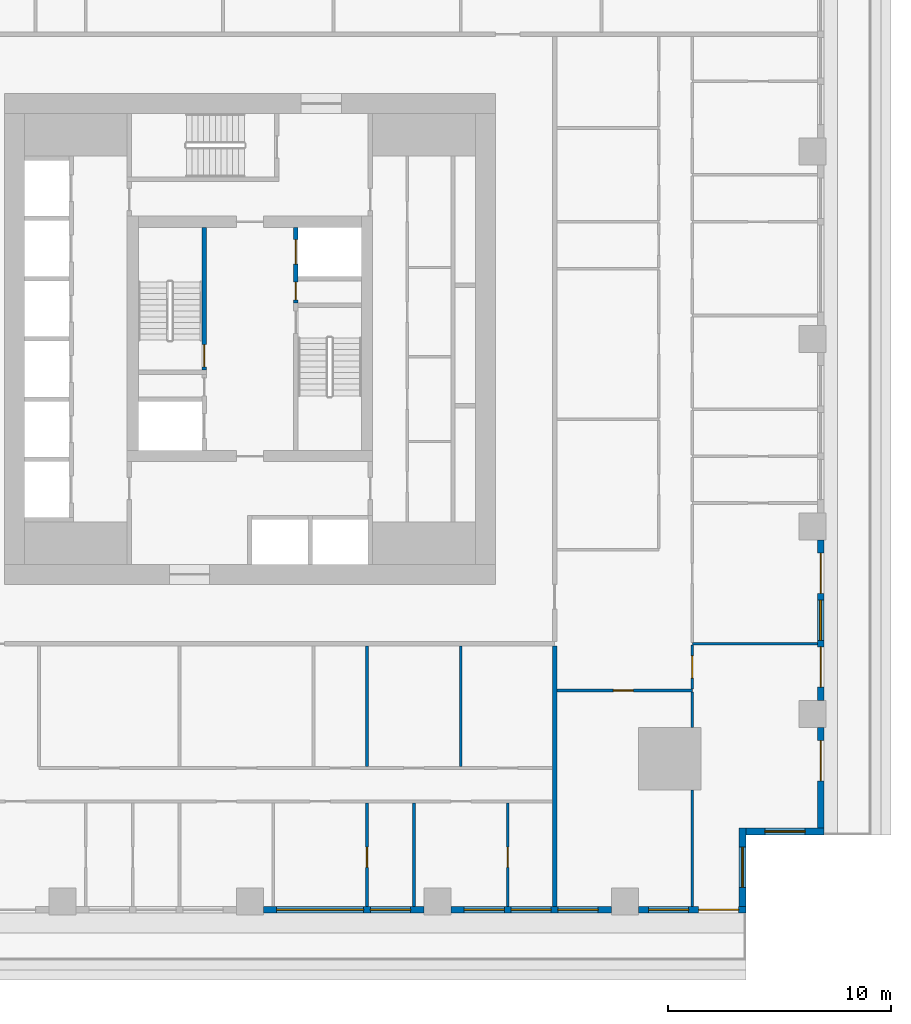
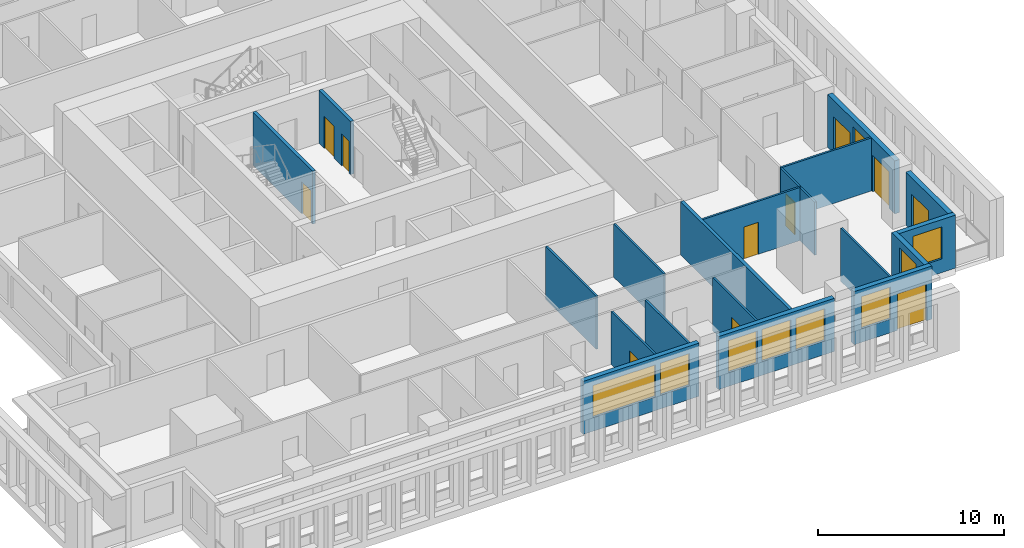
# One storey, part 4 of 14: 20 walls, 11 doors, 9 windows, 20 openings.
"""IFC4 building model written with IfcOpenShell, lengths in metres."""

import ifcopenshell
import ifcopenshell.guid

model = None  # the IFC model being written
_history = None  # IfcOwnerHistory: only IFC2X3 demands one
_inside = {}  # id of a spatial element -> (the spatial element, [elements in it])
_under = {}  # id of a project, library or spatial element -> (it, [spatial elements below it])
_declared = {}  # id of a project -> (the project, [libraries it declares])
_typed = {}  # id of a type object -> (the type object, [elements of that type])
_made_of = {}  # id of a material, layer set ... -> (it, [elements and type objects made of it])


def new_model(schema):
    """Start an empty IFC model of exactly this schema.

    Asked for "IFC4X3", IfcOpenShell would pick the latest addendum, in which some entities
    have other attributes; the version numbers below select the first issue.
    IFC2X3 requires an IfcOwnerHistory on every rooted entity: one is made here for all.
    """
    global model, _history
    if schema == "IFC4X3":
        model = ifcopenshell.file(schema_version=(4, 3, 0, 0))
    else:
        model = ifcopenshell.file(schema=schema)
    _inside.clear()
    _under.clear()
    _declared.clear()
    _typed.clear()
    _made_of.clear()
    _history = None
    if model.schema == "IFC2X3":
        org = make("IfcOrganization", Name="unknown")
        user = make(
            "IfcPersonAndOrganization",
            ThePerson=make("IfcPerson", FamilyName="unknown"),
            TheOrganization=org,
        )
        app = make(
            "IfcApplication",
            ApplicationDeveloper=org,
            Version="unknown",
            ApplicationFullName="unknown",
            ApplicationIdentifier="unknown",
        )
        _history = make(
            "IfcOwnerHistory",
            OwningUser=user,
            OwningApplication=app,
            ChangeAction="ADDED",
            CreationDate=0,
        )
    return model


def make(cls, **values):
    """One entity of the class cls with the attributes given. An attribute that is None is left unset."""
    return model.create_entity(
        cls, **{name: value for name, value in values.items() if value is not None}
    )


def rooted(cls, **values):
    """An entity with a GlobalId (a new one), such as an element, a storey or a relation."""
    return make(cls, GlobalId=ifcopenshell.guid.new(), OwnerHistory=_history, **values)


def si_unit(unit_type, name, prefix=None):
    """IfcSIUnit, for example si_unit("LENGTHUNIT", "METRE", prefix="MILLI")."""
    return make("IfcSIUnit", UnitType=unit_type, Prefix=prefix, Name=name)


def assignment(units):
    """IfcUnitAssignment: the units of a project."""
    return None if units is None else make("IfcUnitAssignment", Units=units)


def point(xyz):
    """IfcCartesianPoint."""
    return None if xyz is None else make("IfcCartesianPoint", Coordinates=xyz)


def direction(xyz):
    """IfcDirection."""
    return None if xyz is None else make("IfcDirection", DirectionRatios=xyz)


def frame(location, z_axis=None, x_axis=None):
    """IfcAxis2Placement3D, a coordinate frame: its origin and axes. An axis left out is left unset."""
    return make(
        "IfcAxis2Placement3D",
        Location=point(location),
        Axis=direction(z_axis),
        RefDirection=direction(x_axis),
    )


def frame_2d(location, x_axis=None):
    """IfcAxis2Placement2D, a coordinate frame in the plane: its origin and x axis."""
    return make(
        "IfcAxis2Placement2D", Location=point(location), RefDirection=direction(x_axis)
    )


def origin():
    """The frame at (0, 0, 0) with its axes left unset."""
    return frame((0.0, 0.0, 0.0))


def place(relative_to, where):
    """IfcLocalPlacement: puts the frame where relative to a parent placement (None: the world)."""
    return make(
        "IfcLocalPlacement", PlacementRelTo=relative_to, RelativePlacement=where
    )


def context(
    kind, dimensions, precision=None, world=None, true_north=None, identifier=None
):
    """IfcGeometricRepresentationContext, for example the 3D "Model" context."""
    return make(
        "IfcGeometricRepresentationContext",
        ContextIdentifier=identifier,
        ContextType=kind,
        CoordinateSpaceDimension=dimensions,
        Precision=precision,
        WorldCoordinateSystem=world,
        TrueNorth=true_north,
    )


def subcontext(parent, identifier, kind, view, scale=None):
    """IfcGeometricRepresentationSubContext, for example "Body" below "Model"."""
    return make(
        "IfcGeometricRepresentationSubContext",
        ContextIdentifier=identifier,
        ContextType=kind,
        ParentContext=parent,
        TargetScale=scale,
        TargetView=view,
    )


def project(units=None, contexts=None):
    """IfcProject with its units and contexts."""
    return rooted(
        "IfcProject",
        Name="project",
        RepresentationContexts=contexts,
        UnitsInContext=assignment(units),
    )


def spatial(cls, under=None, at=None, **own):
    """A site, building, storey or space (cls), placed at a placement, below another one or the project."""
    s = rooted(cls, ObjectPlacement=at, **own)
    if under is not None:
        _under.setdefault(under.id(), (under, []))[1].append(s)
    return s


def profile(cls, at=None, kind="AREA", **sizes):
    """A parametric profile (cls). Its sizes go by their IFC names, for example OverallWidth=200.0."""
    return make(cls, ProfileType=kind, Position=at, **sizes)


def rectangle(**sizes):
    """IfcRectangleProfileDef."""
    return profile("IfcRectangleProfileDef", **sizes)


def extrude(swept, where, along, depth):
    """IfcExtrudedAreaSolid: the profile swept, set in the frame where, extruded along a direction by depth."""
    return make(
        "IfcExtrudedAreaSolid",
        SweptArea=swept,
        Position=where,
        ExtrudedDirection=direction(along),
        Depth=depth,
    )


def shape(context_of_items, identifier, shape_type, items):
    """IfcShapeRepresentation: the items that make up one representation, for example the "Body"."""
    return make(
        "IfcShapeRepresentation",
        ContextOfItems=context_of_items,
        RepresentationIdentifier=identifier,
        RepresentationType=shape_type,
        Items=items,
    )


def material(Name=None, Category=None):
    """IfcMaterial."""
    return make("IfcMaterial", Name=Name, Category=Category)


def layer(
    of_material, thickness, ventilated=None, Name=None, Category=None, Priority=None
):
    """IfcMaterialLayer: one layer of a wall or slab, of a material (None: an air gap)."""
    return make(
        "IfcMaterialLayer",
        Material=of_material,
        LayerThickness=thickness,
        IsVentilated=ventilated,
        Name=Name,
        Category=Category,
        Priority=Priority,
    )


def layer_set(layers, Name=None):
    """IfcMaterialLayerSet."""
    return make("IfcMaterialLayerSet", MaterialLayers=layers, LayerSetName=Name)


def made_of(thing, what):
    """Note that an element or type object is made of a material, layer set ...; save() writes the relation."""
    if what is not None:
        _made_of.setdefault(what.id(), (what, []))[1].append(thing)
    return thing


def type_object(cls, material=None, **own):
    """A type object (cls), such as IfcWallType, which elements share."""
    return made_of(rooted(cls, **own), material)


def element(
    cls,
    number,
    at=None,
    inside=None,
    cuts=None,
    type_object=None,
    material=None,
    context=None,
    identifier="Body",
    shape_type=None,
    held_by="IfcProductDefinitionShape",
    body=None,
    shapes=None,
    **own,
):
    """One element of the class cls, such as IfcWall. Its Tag is "e" and its number.

    at: its placement. inside: the storey or other place that contains it. cuts: it is an
    opening in that element (IfcRelVoidsElement). A single representation is given by context,
    identifier, shape_type and body (its items); several are given by shapes. held_by: the class
    of the entity that holds the representations. save() writes the other relations.
    """
    e = rooted(cls, Tag="e%d" % number, ObjectPlacement=at, **own)
    if body is not None:
        shapes = [shape(context, identifier, shape_type, body)]
    if shapes is not None:
        e.Representation = make(held_by, Representations=shapes)
    if inside is not None:
        _inside.setdefault(inside.id(), (inside, []))[1].append(e)
    if cuts is not None:
        rooted(
            "IfcRelVoidsElement", RelatingBuildingElement=cuts, RelatedOpeningElement=e
        )
    if type_object is not None:
        _typed.setdefault(type_object.id(), (type_object, []))[1].append(e)
    return made_of(e, material)


def fill(opening, filler):
    """IfcRelFillsElement: the door or window that sits in an opening."""
    return rooted(
        "IfcRelFillsElement",
        RelatingOpeningElement=opening,
        RelatedBuildingElement=filler,
    )


def aggregate(whole, parts):
    """IfcRelAggregates: a whole, such as a stair, and the parts it consists of."""
    return rooted("IfcRelAggregates", RelatingObject=whole, RelatedObjects=parts)


def save(model, path):
    """Write the relations noted so far, then the file.

    IfcRelAggregates (storeys below a building ...), IfcRelContainedInSpatialStructure (elements
    in a storey), IfcRelDefinesByType, IfcRelAssociatesMaterial and IfcRelDeclares: one each for
    every whole, place, type object, material and project.
    """
    for whole, parts in _under.values():
        aggregate(whole, parts)
    for where, things in _inside.values():
        rooted(
            "IfcRelContainedInSpatialStructure",
            RelatedElements=things,
            RelatingStructure=where,
        )
    for kind, things in _typed.values():
        rooted("IfcRelDefinesByType", RelatedObjects=things, RelatingType=kind)
    for what, things in _made_of.values():
        rooted("IfcRelAssociatesMaterial", RelatedObjects=things, RelatingMaterial=what)
    for by, libraries in _declared.values():
        rooted("IfcRelDeclares", RelatingContext=by, RelatedDefinitions=libraries)
    model.write(path)


model = new_model("IFC4")

# Units and contexts
model_context = context("Model", 3, precision=1e-05, world=origin(), true_north=direction((0.0, 1.0)))
body_context = subcontext(model_context, "Body", "Model", "MODEL_VIEW")
ifc_project = project(units=[si_unit("LENGTHUNIT", "METRE"), si_unit("AREAUNIT", "SQUARE_METRE"), si_unit("VOLUMEUNIT", "CUBIC_METRE"), si_unit("PLANEANGLEUNIT", "RADIAN"), si_unit("MASSUNIT", "GRAM", prefix="KILO")], contexts=[model_context])

# Site, building, storey
site_placement = place(None, origin())
site = spatial("IfcSite", under=ifc_project, at=site_placement, CompositionType="ELEMENT")
building_placement = place(site_placement, origin())
building = spatial("IfcBuilding", under=site, at=building_placement, Name="Khepri Terraces", CompositionType="ELEMENT")
storey_placement = place(building_placement, frame((0.0, 0.0, 114.300048828125)))
storey = spatial("IfcBuildingStorey", under=building, at=storey_placement, Name="L27", CompositionType="ELEMENT", Elevation=114.300048828125)

# Wall, opening, door
ifc_material_1 = material(Name="Concrete C70/85", Category="concrete")
ifc_layer_1 = layer(ifc_material_1, 0.199951171875, Name="Concrete C70/85", Category="concrete")
ifc_layer_set_1 = layer_set([ifc_layer_1], Name="Concrete C70/85")
wall_type_1 = type_object("IfcWallType", Name="Core wall 200 C70/85", PredefinedType="SHEAR", material=ifc_layer_set_1)
wall_1_placement = place(storey_placement, frame((-2.050048828125, -1.39990234375, 0.0), z_axis=(0.0, 0.0, 1.0), x_axis=(0.0, 1.0, 0.0)))
wall_1 = element("IfcWall", 1, at=wall_1_placement, inside=storey, type_object=wall_type_1, Name="Core wall ST03 L27", PredefinedType="SHEAR", context=body_context, shape_type="SweptSolid", body=[
    extrude(rectangle(XDim=6.39990234375, YDim=0.199951171875, at=frame_2d((3.199951171875, 0.0))), origin(), (0.0, 0.0, 1.0), 3.47998046875),
])
opening_1_placement = place(wall_1_placement, frame((0.14990234375, 0.0, 0.0)))
opening_1 = element("IfcOpeningElement", 2, at=opening_1_placement, cuts=wall_1, Name="Opening L27-C09", PredefinedType="OPENING", context=body_context, shape_type="SweptSolid", body=[
    extrude(rectangle(XDim=1.0, YDim=2.10009765625, at=frame_2d((0.5, 1.050048828125))), frame((0.0, 0.10986328125, 0.0), z_axis=(0.0, -1.0, 0.0), x_axis=(1.0, 0.0, 0.0)), (0.0, 0.0, 1.0), 0.219970703125),
])
ifc_material_2 = material(Name="Painted steel", Category="steel")
door_type_1 = type_object("IfcDoorType", Name="DR-CORE-STAIR-1000", OperationType="NOTDEFINED", PredefinedType="DOOR", material=ifc_material_2)
door_1_placement = place(opening_1_placement, origin())
door_1 = element("IfcDoor", 3, at=door_1_placement, inside=storey, type_object=door_type_1, Name="Stair door L27-C09", OperationType="SINGLE_SWING_LEFT", OverallHeight=2.10009765625, OverallWidth=1.0, PredefinedType="DOOR", context=body_context, shape_type="SweptSolid", body=[
    extrude(rectangle(XDim=1.0, YDim=2.10009765625, at=frame_2d((0.5, 1.050048828125))), frame((0.0, 0.02490234375, 0.0), z_axis=(0.0, -1.0, 0.0), x_axis=(1.0, 0.0, 0.0)), (0.0, 0.0, 1.0), 0.050048828125),
])
fill(opening_1, door_1)

# Wall, openings, doors
wall_2_placement = place(storey_placement, frame((2.050048828125, 1.60009765625, 0.0), z_axis=(0.0, 0.0, 1.0), x_axis=(0.0, 1.0, 0.0)))
wall_2 = element("IfcWall", 4, at=wall_2_placement, inside=storey, type_object=wall_type_1, Name="Core wall SH15 L27", PredefinedType="SHEAR", context=body_context, shape_type="SweptSolid", body=[
    extrude(rectangle(XDim=3.39990234375, YDim=0.199951171875, at=frame_2d((1.699951171875, 0.0))), origin(), (0.0, 0.0, 1.0), 3.47998046875),
])
opening_2_placement = place(wall_2_placement, frame((1.75, 0.0, 0.0)))
opening_2 = element("IfcOpeningElement", 5, at=opening_2_placement, cuts=wall_2, Name="Opening L27-C07", PredefinedType="OPENING", context=body_context, shape_type="SweptSolid", body=[
    extrude(rectangle(XDim=1.10009765625, YDim=2.10009765625, at=frame_2d((0.550048828125, 1.050048828125))), frame((0.0, 0.10986328125, 0.0), z_axis=(0.0, -1.0, 0.0), x_axis=(1.0, 0.0, 0.0)), (0.0, 0.0, 1.0), 0.219970703125),
])
opening_3_placement = place(wall_2_placement, frame((0.14990234375, 0.0, 0.0)))
opening_3 = element("IfcOpeningElement", 6, at=opening_3_placement, cuts=wall_2, Name="Opening L27-C11", PredefinedType="OPENING", context=body_context, shape_type="SweptSolid", body=[
    extrude(rectangle(XDim=0.800048828125, YDim=2.10009765625, at=frame_2d((0.39990234375, 1.050048828125))), frame((0.0, 0.10986328125, 0.0), z_axis=(0.0, -1.0, 0.0), x_axis=(1.0, 0.0, 0.0)), (0.0, 0.0, 1.0), 0.219970703125),
])
ifc_material_3 = material(Name="Stainless steel 304", Category="steel")
door_type_2 = type_object("IfcDoorType", Name="DR-CORE-FF-LANDING-1100", OperationType="NOTDEFINED", PredefinedType="DOOR", material=ifc_material_3)
door_2_placement = place(opening_2_placement, origin())
door_2 = element("IfcDoor", 7, at=door_2_placement, inside=storey, type_object=door_type_2, Name="Firefighting lift landing door L27-C07", OperationType="SLIDING_TO_LEFT", OverallHeight=2.10009765625, OverallWidth=1.10009765625, PredefinedType="DOOR", context=body_context, shape_type="SweptSolid", body=[
    extrude(rectangle(XDim=1.10009765625, YDim=2.10009765625, at=frame_2d((0.550048828125, 1.050048828125))), frame((0.0, 0.02490234375, 0.0), z_axis=(0.0, -1.0, 0.0), x_axis=(1.0, 0.0, 0.0)), (0.0, 0.0, 1.0), 0.050048828125),
])
fill(opening_2, door_2)
door_type_3 = type_object("IfcDoorType", Name="DR-CORE-RISER-800", OperationType="NOTDEFINED", PredefinedType="DOOR", material=ifc_material_2)
door_3_placement = place(opening_3_placement, frame((0.800048828125, 0.0, 0.0), z_axis=(0.0, 0.0, 1.0), x_axis=(-1.0, 0.0, 0.0)))
door_3 = element("IfcDoor", 8, at=door_3_placement, inside=storey, type_object=door_type_3, Name="Riser door L27-C11", OperationType="SINGLE_SWING_RIGHT", OverallHeight=2.10009765625, OverallWidth=0.800048828125, PredefinedType="DOOR", context=body_context, shape_type="SweptSolid", body=[
    extrude(rectangle(XDim=0.800048828125, YDim=2.10009765625, at=frame_2d((0.39990234375, 1.050048828125))), frame((0.0, 0.02490234375, 0.0), z_axis=(0.0, -1.0, 0.0), x_axis=(1.0, 0.0, 0.0)), (0.0, 0.0, 1.0), 0.050048828125),
])
fill(opening_3, door_3)

# Wall
ifc_material_4 = material(Name="Fire-rated gypsum plasterboard partition, mineral wool")
ifc_layer_2 = layer(ifc_material_4, 0.199951171875, Name="Fire-rated gypsum plasterboard partition, mineral wool")
ifc_layer_set_2 = layer_set([ifc_layer_2], Name="Fire-rated gypsum plasterboard partition, mineral wool")
wall_type_2 = type_object("IfcWallType", Name="WL-CORR-200", PredefinedType="PARTITIONING", material=ifc_layer_set_2)
wall_3_placement = place(storey_placement, frame((13.64990234375, -25.419921875, 0.0), z_axis=(0.0, 0.0, 1.0), x_axis=(0.0, 1.0, 0.0)))
element("IfcWall", 9, at=wall_3_placement, inside=storey, type_object=wall_type_2, Name="Partition P-009 L27", PredefinedType="PARTITIONING", context=body_context, shape_type="SweptSolid", body=[
    extrude(rectangle(XDim=11.669921875, YDim=0.199951171875, at=frame_2d((5.8349609375, 0.0))), origin(), (0.0, 0.0, 1.0), 3.47998046875),
])

# Wall, opening, window
ifc_material_5 = material(Name="Precast concrete C50/60 warm stone", Category="masonry")
ifc_layer_3 = layer(ifc_material_5, 0.300048828125, Name="Precast concrete C50/60 warm stone", Category="masonry")
ifc_layer_set_3 = layer_set([ifc_layer_3], Name="Precast concrete C50/60 warm stone")
wall_type_3 = type_object("IfcWallType", Name="WL-EXT-PRECAST-300", PredefinedType="STANDARD", material=ifc_layer_set_3)
wall_4_placement = place(storey_placement, frame((22.219970703125, -22.070068359375, 0.0), z_axis=(0.0, 0.0, 1.0), x_axis=(1.0, 0.0, 0.0)))
wall_4 = element("IfcWall", 10, at=wall_4_placement, inside=storey, type_object=wall_type_3, Name="External wall L27 S", PredefinedType="STANDARD", context=body_context, shape_type="SweptSolid", body=[
    extrude(rectangle(XDim=3.5, YDim=0.300048828125, at=frame_2d((1.75, 0.0))), origin(), (0.0, 0.0, 1.0), 3.47998046875),
])
opening_4_placement = place(wall_4_placement, frame((0.85009765625, 0.0, 0.89990234375)))
opening_4 = element("IfcOpeningElement", 11, at=opening_4_placement, cuts=wall_4, Name="Opening W1", PredefinedType="OPENING", context=body_context, shape_type="SweptSolid", body=[
    extrude(rectangle(XDim=1.800048828125, YDim=2.10009765625, at=frame_2d((0.89990234375, 1.050048828125))), frame((0.0, 0.16015625, 0.0), z_axis=(0.0, -1.0, 0.0), x_axis=(1.0, 0.0, 0.0)), (0.0, 0.0, 1.0), 0.320068359375),
])
ifc_material_6 = material(Name="Clear glass", Category="glass")
window_type_1 = type_object("IfcWindowType", Name="WIN-RES-1800x2100", PartitioningType="SINGLE_PANEL", PredefinedType="WINDOW", material=ifc_material_6)
window_1_placement = place(opening_4_placement, origin())
window_1 = element("IfcWindow", 12, at=window_1_placement, inside=storey, type_object=window_type_1, Name="Window L27 S", OverallHeight=2.10009765625, OverallWidth=1.800048828125, PartitioningType="SINGLE_PANEL", PredefinedType="WINDOW", context=body_context, shape_type="SweptSolid", body=[
    extrude(rectangle(XDim=1.800048828125, YDim=2.10009765625, at=frame_2d((0.89990234375, 1.050048828125))), frame((0.0, 0.030029296875, 0.0), z_axis=(0.0, -1.0, 0.0), x_axis=(1.0, 0.0, 0.0)), (0.0, 0.0, 1.0), 0.06005859375),
])
fill(opening_4, window_1)

# Wall, opening, door
wall_5_placement = place(storey_placement, frame((25.570068359375, -21.919921875, 0.0), z_axis=(0.0, 0.0, 1.0), x_axis=(0.0, 1.0, 0.0)))
wall_5 = element("IfcWall", 13, at=wall_5_placement, inside=storey, type_object=wall_type_3, Name="External wall L27 E", PredefinedType="STANDARD", context=body_context, shape_type="SweptSolid", body=[
    extrude(rectangle(XDim=4.52001953125, YDim=0.300048828125, at=frame_2d((2.260009765625, 0.0))), origin(), (0.0, 0.0, 1.0), 3.47998046875),
])
opening_5_placement = place(wall_5_placement, frame((2.1201171875, 0.0, 0.0)))
opening_5 = element("IfcOpeningElement", 14, at=opening_5_placement, cuts=wall_5, Name="Opening ED-L27-01", PredefinedType="OPENING", context=body_context, shape_type="SweptSolid", body=[
    extrude(rectangle(XDim=1.800048828125, YDim=2.39990234375, at=frame_2d((0.89990234375, 1.199951171875))), frame((0.0, 0.16015625, 0.0), z_axis=(0.0, -1.0, 0.0), x_axis=(1.0, 0.0, 0.0)), (0.0, 0.0, 1.0), 0.320068359375),
])
ifc_material_7 = material(Name="Anodised aluminium bronze glazed door", Category="aluminium")
door_type_4 = type_object("IfcDoorType", Name="DR-BAL-SLIDE-1800x2400", OperationType="NOTDEFINED", PredefinedType="DOOR", material=ifc_material_7)
door_4_placement = place(opening_5_placement, origin())
door_4 = element("IfcDoor", 15, at=door_4_placement, inside=storey, type_object=door_type_4, Name="Balcony door L27 E", OperationType="SLIDING_TO_RIGHT", OverallHeight=2.39990234375, OverallWidth=1.800048828125, PredefinedType="DOOR", context=body_context, shape_type="SweptSolid", body=[
    extrude(rectangle(XDim=1.800048828125, YDim=2.39990234375, at=frame_2d((0.89990234375, 1.199951171875))), frame((0.0, 0.02490234375, 0.0), z_axis=(0.0, -1.0, 0.0), x_axis=(1.0, 0.0, 0.0)), (0.0, 0.0, 1.0), 0.050048828125),
])
fill(opening_5, door_4)

# Wall, openings, doors, window
wall_6_placement = place(storey_placement, frame((25.570068359375, -16.199951171875, 0.0), z_axis=(0.0, 0.0, 1.0), x_axis=(0.0, 1.0, 0.0)))
wall_6 = element("IfcWall", 16, at=wall_6_placement, inside=storey, type_object=wall_type_3, Name="External wall L27 E", PredefinedType="STANDARD", context=body_context, shape_type="SweptSolid", body=[
    extrude(rectangle(XDim=7.199951171875, YDim=0.300048828125, at=frame_2d((3.60009765625, 0.0))), origin(), (0.0, 0.0, 1.0), 3.47998046875),
])
opening_6_placement = place(wall_6_placement, frame((0.60009765625, 0.0, 0.0)))
opening_6 = element("IfcOpeningElement", 17, at=opening_6_placement, cuts=wall_6, Name="Opening ED-L27-02", PredefinedType="OPENING", context=body_context, shape_type="SweptSolid", body=[
    extrude(rectangle(XDim=1.800048828125, YDim=2.39990234375, at=frame_2d((0.89990234375, 1.199951171875))), frame((0.0, 0.16015625, 0.0), z_axis=(0.0, -1.0, 0.0), x_axis=(1.0, 0.0, 0.0)), (0.0, 0.0, 1.0), 0.320068359375),
])
opening_7_placement = place(wall_6_placement, frame((2.699951171875, 0.0, 0.89990234375)))
opening_7 = element("IfcOpeningElement", 18, at=opening_7_placement, cuts=wall_6, Name="Opening W1", PredefinedType="OPENING", context=body_context, shape_type="SweptSolid", body=[
    extrude(rectangle(XDim=1.800048828125, YDim=2.10009765625, at=frame_2d((0.89990234375, 1.050048828125))), frame((0.0, 0.16015625, 0.0), z_axis=(0.0, -1.0, 0.0), x_axis=(1.0, 0.0, 0.0)), (0.0, 0.0, 1.0), 0.320068359375),
])
opening_8_placement = place(wall_6_placement, frame((4.800048828125, 0.0, 0.0)))
opening_8 = element("IfcOpeningElement", 19, at=opening_8_placement, cuts=wall_6, Name="Opening ED-L27-03", PredefinedType="OPENING", context=body_context, shape_type="SweptSolid", body=[
    extrude(rectangle(XDim=1.800048828125, YDim=2.39990234375, at=frame_2d((0.89990234375, 1.199951171875))), frame((0.0, 0.16015625, 0.0), z_axis=(0.0, -1.0, 0.0), x_axis=(1.0, 0.0, 0.0)), (0.0, 0.0, 1.0), 0.320068359375),
])
door_5_placement = place(opening_6_placement, origin())
door_5 = element("IfcDoor", 20, at=door_5_placement, inside=storey, type_object=door_type_4, Name="Balcony door L27 E", OperationType="SLIDING_TO_LEFT", OverallHeight=2.39990234375, OverallWidth=1.800048828125, PredefinedType="DOOR", context=body_context, shape_type="SweptSolid", body=[
    extrude(rectangle(XDim=1.800048828125, YDim=2.39990234375, at=frame_2d((0.89990234375, 1.199951171875))), frame((0.0, 0.02490234375, 0.0), z_axis=(0.0, -1.0, 0.0), x_axis=(1.0, 0.0, 0.0)), (0.0, 0.0, 1.0), 0.050048828125),
])
fill(opening_6, door_5)
door_6_placement = place(opening_8_placement, origin())
door_6 = element("IfcDoor", 21, at=door_6_placement, inside=storey, type_object=door_type_4, Name="Balcony door L27 E", OperationType="SLIDING_TO_RIGHT", OverallHeight=2.39990234375, OverallWidth=1.800048828125, PredefinedType="DOOR", context=body_context, shape_type="SweptSolid", body=[
    extrude(rectangle(XDim=1.800048828125, YDim=2.39990234375, at=frame_2d((0.89990234375, 1.199951171875))), frame((0.0, 0.02490234375, 0.0), z_axis=(0.0, -1.0, 0.0), x_axis=(1.0, 0.0, 0.0)), (0.0, 0.0, 1.0), 0.050048828125),
])
fill(opening_8, door_6)
window_2_placement = place(opening_7_placement, origin())
window_2 = element("IfcWindow", 22, at=window_2_placement, inside=storey, type_object=window_type_1, Name="Window L27 E", OverallHeight=2.10009765625, OverallWidth=1.800048828125, PartitioningType="SINGLE_PANEL", PredefinedType="WINDOW", context=body_context, shape_type="SweptSolid", body=[
    extrude(rectangle(XDim=1.800048828125, YDim=2.10009765625, at=frame_2d((0.89990234375, 1.050048828125))), frame((0.0, 0.030029296875, 0.0), z_axis=(0.0, -1.0, 0.0), x_axis=(1.0, 0.0, 0.0)), (0.0, 0.0, 1.0), 0.06005859375),
])
fill(opening_7, window_2)

# Wall, openings, windows
wall_7_placement = place(storey_placement, frame((0.60009765625, -25.570068359375, 0.0), z_axis=(0.0, 0.0, 1.0), x_axis=(1.0, 0.0, 0.0)))
wall_7 = element("IfcWall", 23, at=wall_7_placement, inside=storey, type_object=wall_type_3, Name="External wall L27 S", PredefinedType="STANDARD", context=body_context, shape_type="SweptSolid", body=[
    extrude(rectangle(XDim=7.199951171875, YDim=0.300048828125, at=frame_2d((3.60009765625, 0.0))), origin(), (0.0, 0.0, 1.0), 3.47998046875),
])
opening_9_placement = place(wall_7_placement, frame((0.60009765625, 0.0, 0.89990234375)))
opening_9 = element("IfcOpeningElement", 24, at=opening_9_placement, cuts=wall_7, Name="Opening W2", PredefinedType="OPENING", context=body_context, shape_type="SweptSolid", body=[
    extrude(rectangle(XDim=3.89990234375, YDim=2.10009765625, at=frame_2d((1.949951171875, 1.050048828125))), frame((0.0, 0.16015625, 0.0), z_axis=(0.0, -1.0, 0.0), x_axis=(1.0, 0.0, 0.0)), (0.0, 0.0, 1.0), 0.320068359375),
])
opening_10_placement = place(wall_7_placement, frame((4.800048828125, 0.0, 0.89990234375)))
opening_10 = element("IfcOpeningElement", 25, at=opening_10_placement, cuts=wall_7, Name="Opening W1", PredefinedType="OPENING", context=body_context, shape_type="SweptSolid", body=[
    extrude(rectangle(XDim=1.800048828125, YDim=2.10009765625, at=frame_2d((0.89990234375, 1.050048828125))), frame((0.0, 0.16015625, 0.0), z_axis=(0.0, -1.0, 0.0), x_axis=(1.0, 0.0, 0.0)), (0.0, 0.0, 1.0), 0.320068359375),
])
window_3_placement = place(opening_10_placement, origin())
window_3 = element("IfcWindow", 26, at=window_3_placement, inside=storey, type_object=window_type_1, Name="Window L27 S", OverallHeight=2.10009765625, OverallWidth=1.800048828125, PartitioningType="SINGLE_PANEL", PredefinedType="WINDOW", context=body_context, shape_type="SweptSolid", body=[
    extrude(rectangle(XDim=1.800048828125, YDim=2.10009765625, at=frame_2d((0.89990234375, 1.050048828125))), frame((0.0, 0.030029296875, 0.0), z_axis=(0.0, -1.0, 0.0), x_axis=(1.0, 0.0, 0.0)), (0.0, 0.0, 1.0), 0.06005859375),
])
fill(opening_10, window_3)
window_type_2 = type_object("IfcWindowType", Name="WIN-RES-3900x2100", PartitioningType="SINGLE_PANEL", PredefinedType="WINDOW", material=ifc_material_6)
window_4_placement = place(opening_9_placement, origin())
window_4 = element("IfcWindow", 27, at=window_4_placement, inside=storey, type_object=window_type_2, Name="Window L27 S", OverallHeight=2.10009765625, OverallWidth=3.89990234375, PartitioningType="SINGLE_PANEL", PredefinedType="WINDOW", context=body_context, shape_type="SweptSolid", body=[
    extrude(rectangle(XDim=3.89990234375, YDim=2.10009765625, at=frame_2d((1.949951171875, 1.050048828125))), frame((0.0, 0.030029296875, 0.0), z_axis=(0.0, -1.0, 0.0), x_axis=(1.0, 0.0, 0.0)), (0.0, 0.0, 1.0), 0.06005859375),
])
fill(opening_9, window_4)

wall_8_placement = place(storey_placement, frame((9.0, -25.570068359375, 0.0), z_axis=(0.0, 0.0, 1.0), x_axis=(1.0, 0.0, 0.0)))
wall_8 = element("IfcWall", 28, at=wall_8_placement, inside=storey, type_object=wall_type_3, Name="External wall L27 S", PredefinedType="STANDARD", context=body_context, shape_type="SweptSolid", body=[
    extrude(rectangle(XDim=7.199951171875, YDim=0.300048828125, at=frame_2d((3.60009765625, 0.0))), origin(), (0.0, 0.0, 1.0), 3.47998046875),
])
opening_11_placement = place(wall_8_placement, frame((0.60009765625, 0.0, 0.89990234375)))
opening_11 = element("IfcOpeningElement", 29, at=opening_11_placement, cuts=wall_8, Name="Opening W1", PredefinedType="OPENING", context=body_context, shape_type="SweptSolid", body=[
    extrude(rectangle(XDim=1.800048828125, YDim=2.10009765625, at=frame_2d((0.89990234375, 1.050048828125))), frame((0.0, 0.16015625, 0.0), z_axis=(0.0, -1.0, 0.0), x_axis=(1.0, 0.0, 0.0)), (0.0, 0.0, 1.0), 0.320068359375),
])
opening_12_placement = place(wall_8_placement, frame((2.699951171875, 0.0, 0.89990234375)))
opening_12 = element("IfcOpeningElement", 30, at=opening_12_placement, cuts=wall_8, Name="Opening W1", PredefinedType="OPENING", context=body_context, shape_type="SweptSolid", body=[
    extrude(rectangle(XDim=1.800048828125, YDim=2.10009765625, at=frame_2d((0.89990234375, 1.050048828125))), frame((0.0, 0.16015625, 0.0), z_axis=(0.0, -1.0, 0.0), x_axis=(1.0, 0.0, 0.0)), (0.0, 0.0, 1.0), 0.320068359375),
])
opening_13_placement = place(wall_8_placement, frame((4.800048828125, 0.0, 0.89990234375)))
opening_13 = element("IfcOpeningElement", 31, at=opening_13_placement, cuts=wall_8, Name="Opening W1", PredefinedType="OPENING", context=body_context, shape_type="SweptSolid", body=[
    extrude(rectangle(XDim=1.800048828125, YDim=2.10009765625, at=frame_2d((0.89990234375, 1.050048828125))), frame((0.0, 0.16015625, 0.0), z_axis=(0.0, -1.0, 0.0), x_axis=(1.0, 0.0, 0.0)), (0.0, 0.0, 1.0), 0.320068359375),
])
window_5_placement = place(opening_11_placement, origin())
window_5 = element("IfcWindow", 32, at=window_5_placement, inside=storey, type_object=window_type_1, Name="Window L27 S", OverallHeight=2.10009765625, OverallWidth=1.800048828125, PartitioningType="SINGLE_PANEL", PredefinedType="WINDOW", context=body_context, shape_type="SweptSolid", body=[
    extrude(rectangle(XDim=1.800048828125, YDim=2.10009765625, at=frame_2d((0.89990234375, 1.050048828125))), frame((0.0, 0.030029296875, 0.0), z_axis=(0.0, -1.0, 0.0), x_axis=(1.0, 0.0, 0.0)), (0.0, 0.0, 1.0), 0.06005859375),
])
fill(opening_11, window_5)
window_6_placement = place(opening_12_placement, origin())
window_6 = element("IfcWindow", 33, at=window_6_placement, inside=storey, type_object=window_type_1, Name="Window L27 S", OverallHeight=2.10009765625, OverallWidth=1.800048828125, PartitioningType="SINGLE_PANEL", PredefinedType="WINDOW", context=body_context, shape_type="SweptSolid", body=[
    extrude(rectangle(XDim=1.800048828125, YDim=2.10009765625, at=frame_2d((0.89990234375, 1.050048828125))), frame((0.0, 0.030029296875, 0.0), z_axis=(0.0, -1.0, 0.0), x_axis=(1.0, 0.0, 0.0)), (0.0, 0.0, 1.0), 0.06005859375),
])
fill(opening_12, window_6)
window_7_placement = place(opening_13_placement, origin())
window_7 = element("IfcWindow", 34, at=window_7_placement, inside=storey, type_object=window_type_1, Name="Window L27 S", OverallHeight=2.10009765625, OverallWidth=1.800048828125, PartitioningType="SINGLE_PANEL", PredefinedType="WINDOW", context=body_context, shape_type="SweptSolid", body=[
    extrude(rectangle(XDim=1.800048828125, YDim=2.10009765625, at=frame_2d((0.89990234375, 1.050048828125))), frame((0.0, 0.030029296875, 0.0), z_axis=(0.0, -1.0, 0.0), x_axis=(1.0, 0.0, 0.0)), (0.0, 0.0, 1.0), 0.06005859375),
])
fill(opening_13, window_7)

# Wall, openings, door, window
wall_9_placement = place(storey_placement, frame((17.39990234375, -25.570068359375, 0.0), z_axis=(0.0, 0.0, 1.0), x_axis=(1.0, 0.0, 0.0)))
wall_9 = element("IfcWall", 35, at=wall_9_placement, inside=storey, type_object=wall_type_3, Name="External wall L27 S", PredefinedType="STANDARD", context=body_context, shape_type="SweptSolid", body=[
    extrude(rectangle(XDim=4.820068359375, YDim=0.300048828125, at=frame_2d((2.41015625, 0.0))), origin(), (0.0, 0.0, 1.0), 3.47998046875),
])
opening_14_placement = place(wall_9_placement, frame((2.699951171875, 0.0, 0.0)))
opening_14 = element("IfcOpeningElement", 36, at=opening_14_placement, cuts=wall_9, Name="Opening ED-L27-18", PredefinedType="OPENING", context=body_context, shape_type="SweptSolid", body=[
    extrude(rectangle(XDim=1.800048828125, YDim=2.39990234375, at=frame_2d((0.89990234375, 1.199951171875))), frame((0.0, 0.16015625, 0.0), z_axis=(0.0, -1.0, 0.0), x_axis=(1.0, 0.0, 0.0)), (0.0, 0.0, 1.0), 0.320068359375),
])
opening_15_placement = place(wall_9_placement, frame((0.4599609375, 0.0, 0.89990234375)))
opening_15 = element("IfcOpeningElement", 37, at=opening_15_placement, cuts=wall_9, Name="Opening W1", PredefinedType="OPENING", context=body_context, shape_type="SweptSolid", body=[
    extrude(rectangle(XDim=1.800048828125, YDim=2.10009765625, at=frame_2d((0.89990234375, 1.050048828125))), frame((0.0, 0.16015625, 0.0), z_axis=(0.0, -1.0, 0.0), x_axis=(1.0, 0.0, 0.0)), (0.0, 0.0, 1.0), 0.320068359375),
])
door_7_placement = place(opening_14_placement, origin())
door_7 = element("IfcDoor", 38, at=door_7_placement, inside=storey, type_object=door_type_4, Name="Balcony door L27 S", OperationType="SLIDING_TO_LEFT", OverallHeight=2.39990234375, OverallWidth=1.800048828125, PredefinedType="DOOR", context=body_context, shape_type="SweptSolid", body=[
    extrude(rectangle(XDim=1.800048828125, YDim=2.39990234375, at=frame_2d((0.89990234375, 1.199951171875))), frame((0.0, 0.02490234375, 0.0), z_axis=(0.0, -1.0, 0.0), x_axis=(1.0, 0.0, 0.0)), (0.0, 0.0, 1.0), 0.050048828125),
])
fill(opening_14, door_7)
window_8_placement = place(opening_15_placement, origin())
window_8 = element("IfcWindow", 39, at=window_8_placement, inside=storey, type_object=window_type_1, Name="Window L27 S", OverallHeight=2.10009765625, OverallWidth=1.800048828125, PartitioningType="SINGLE_PANEL", PredefinedType="WINDOW", context=body_context, shape_type="SweptSolid", body=[
    extrude(rectangle(XDim=1.800048828125, YDim=2.10009765625, at=frame_2d((0.89990234375, 1.050048828125))), frame((0.0, 0.030029296875, 0.0), z_axis=(0.0, -1.0, 0.0), x_axis=(1.0, 0.0, 0.0)), (0.0, 0.0, 1.0), 0.06005859375),
])
fill(opening_15, window_8)

# Wall, opening, window
wall_10_placement = place(storey_placement, frame((22.070068359375, -25.419921875, 0.0), z_axis=(0.0, 0.0, 1.0), x_axis=(0.0, 1.0, 0.0)))
wall_10 = element("IfcWall", 40, at=wall_10_placement, inside=storey, type_object=wall_type_3, Name="External wall L27 E", PredefinedType="STANDARD", context=body_context, shape_type="SweptSolid", body=[
    extrude(rectangle(XDim=3.5, YDim=0.300048828125, at=frame_2d((1.75, 0.0))), origin(), (0.0, 0.0, 1.0), 3.47998046875),
])
opening_16_placement = place(wall_10_placement, frame((0.85009765625, 0.0, 0.89990234375)))
opening_16 = element("IfcOpeningElement", 41, at=opening_16_placement, cuts=wall_10, Name="Opening W1", PredefinedType="OPENING", context=body_context, shape_type="SweptSolid", body=[
    extrude(rectangle(XDim=1.800048828125, YDim=2.10009765625, at=frame_2d((0.89990234375, 1.050048828125))), frame((0.0, 0.16015625, 0.0), z_axis=(0.0, -1.0, 0.0), x_axis=(1.0, 0.0, 0.0)), (0.0, 0.0, 1.0), 0.320068359375),
])
window_9_placement = place(opening_16_placement, origin())
window_9 = element("IfcWindow", 42, at=window_9_placement, inside=storey, type_object=window_type_1, Name="Window L27 E", OverallHeight=2.10009765625, OverallWidth=1.800048828125, PartitioningType="SINGLE_PANEL", PredefinedType="WINDOW", context=body_context, shape_type="SweptSolid", body=[
    extrude(rectangle(XDim=1.800048828125, YDim=2.10009765625, at=frame_2d((0.89990234375, 1.050048828125))), frame((0.0, 0.030029296875, 0.0), z_axis=(0.0, -1.0, 0.0), x_axis=(1.0, 0.0, 0.0)), (0.0, 0.0, 1.0), 0.06005859375),
])
fill(opening_16, window_9)

# Wall, opening, door
ifc_material_8 = material(Name="Gypsum plasterboard partition")
ifc_layer_4 = layer(ifc_material_8, 0.1201171875, Name="Gypsum plasterboard partition")
ifc_layer_set_4 = layer_set([ifc_layer_4], Name="Gypsum plasterboard partition")
wall_type_4 = type_object("IfcWallType", Name="WL-PART-120", PredefinedType="PARTITIONING", material=ifc_layer_set_4)
wall_11_placement = place(storey_placement, frame((5.25, -25.419921875, 0.0), z_axis=(0.0, 0.0, 1.0), x_axis=(0.0, 1.0, 0.0)))
wall_11 = element("IfcWall", 43, at=wall_11_placement, inside=storey, type_object=wall_type_4, Name="Partition P-006 L27", PredefinedType="PARTITIONING", context=body_context, shape_type="SweptSolid", body=[
    extrude(rectangle(XDim=4.639892578125, YDim=0.1201171875, at=frame_2d((2.31982421875, 0.0))), origin(), (0.0, 0.0, 1.0), 3.47998046875),
])
opening_17_placement = place(wall_11_placement, frame((1.75, 0.0, 0.0)))
opening_17 = element("IfcOpeningElement", 44, at=opening_17_placement, cuts=wall_11, Name="Opening D4", PredefinedType="OPENING", context=body_context, shape_type="SweptSolid", body=[
    extrude(rectangle(XDim=0.89990234375, YDim=2.10009765625, at=frame_2d((0.449951171875, 1.050048828125))), frame((0.0, 0.070068359375, 0.0), z_axis=(0.0, -1.0, 0.0), x_axis=(1.0, 0.0, 0.0)), (0.0, 0.0, 1.0), 0.14013671875),
])
ifc_material_9 = material(Name="Timber door leaf, moisture resistant", Category="wood")
door_type_5 = type_object("IfcDoorType", Name="DR-WET-900", OperationType="NOTDEFINED", PredefinedType="DOOR", material=ifc_material_9)
door_8_placement = place(opening_17_placement, frame((0.89990234375, 0.0, 0.0), z_axis=(0.0, 0.0, 1.0), x_axis=(-1.0, 0.0, 0.0)))
door_8 = element("IfcDoor", 45, at=door_8_placement, inside=storey, type_object=door_type_5, Name="Door Bathroom", OperationType="SINGLE_SWING_RIGHT", OverallHeight=2.10009765625, OverallWidth=0.89990234375, PredefinedType="DOOR", context=body_context, shape_type="SweptSolid", body=[
    extrude(rectangle(XDim=0.89990234375, YDim=2.10009765625, at=frame_2d((0.449951171875, 1.050048828125))), frame((0.0, 0.02490234375, 0.0), z_axis=(0.0, -1.0, 0.0), x_axis=(1.0, 0.0, 0.0)), (0.0, 0.0, 1.0), 0.050048828125),
])
fill(opening_17, door_8)

# Wall
wall_12_placement = place(storey_placement, frame((7.35009765625, -25.419921875, 0.0), z_axis=(0.0, 0.0, 1.0), x_axis=(0.0, 1.0, 0.0)))
element("IfcWall", 46, at=wall_12_placement, inside=storey, type_object=wall_type_4, Name="Partition P-007 L27", PredefinedType="PARTITIONING", context=body_context, shape_type="SweptSolid", body=[
    extrude(rectangle(XDim=4.639892578125, YDim=0.1201171875, at=frame_2d((2.31982421875, 0.0))), origin(), (0.0, 0.0, 1.0), 3.47998046875),
])

# Wall, opening, door
wall_13_placement = place(storey_placement, frame((11.550048828125, -25.419921875, 0.0), z_axis=(0.0, 0.0, 1.0), x_axis=(0.0, 1.0, 0.0)))
wall_13 = element("IfcWall", 47, at=wall_13_placement, inside=storey, type_object=wall_type_4, Name="Partition P-008 L27", PredefinedType="PARTITIONING", context=body_context, shape_type="SweptSolid", body=[
    extrude(rectangle(XDim=4.639892578125, YDim=0.1201171875, at=frame_2d((2.31982421875, 0.0))), origin(), (0.0, 0.0, 1.0), 3.47998046875),
])
opening_18_placement = place(wall_13_placement, frame((1.75, 0.0, 0.0)))
opening_18 = element("IfcOpeningElement", 48, at=opening_18_placement, cuts=wall_13, Name="Opening D4", PredefinedType="OPENING", context=body_context, shape_type="SweptSolid", body=[
    extrude(rectangle(XDim=0.89990234375, YDim=2.10009765625, at=frame_2d((0.449951171875, 1.050048828125))), frame((0.0, 0.070068359375, 0.0), z_axis=(0.0, -1.0, 0.0), x_axis=(1.0, 0.0, 0.0)), (0.0, 0.0, 1.0), 0.14013671875),
])
door_9_placement = place(opening_18_placement, frame((0.89990234375, 0.0, 0.0), z_axis=(0.0, 0.0, 1.0), x_axis=(-1.0, 0.0, 0.0)))
door_9 = element("IfcDoor", 49, at=door_9_placement, inside=storey, type_object=door_type_5, Name="Door Bathroom", OperationType="SINGLE_SWING_RIGHT", OverallHeight=2.10009765625, OverallWidth=0.89990234375, PredefinedType="DOOR", context=body_context, shape_type="SweptSolid", body=[
    extrude(rectangle(XDim=0.89990234375, YDim=2.10009765625, at=frame_2d((0.449951171875, 1.050048828125))), frame((0.0, 0.02490234375, 0.0), z_axis=(0.0, -1.0, 0.0), x_axis=(1.0, 0.0, 0.0)), (0.0, 0.0, 1.0), 0.050048828125),
])
fill(opening_18, door_9)

# Walls
wall_14_placement = place(storey_placement, frame((19.820068359375, -25.419921875, 0.0), z_axis=(0.0, 0.0, 1.0), x_axis=(0.0, 1.0, 0.0)))
element("IfcWall", 50, at=wall_14_placement, inside=storey, type_object=wall_type_4, Name="Partition P-010 L27", PredefinedType="PARTITIONING", context=body_context, shape_type="SweptSolid", body=[
    extrude(rectangle(XDim=5.219970703125, YDim=0.1201171875, at=frame_2d((2.60986328125, 0.0))), origin(), (0.0, 0.0, 1.0), 3.47998046875),
])
for number, where, z_axis, x_axis, name in (
    (51, (5.25, -19.159912109375, 0.0), (0.0, 0.0, 1.0), (0.0, 1.0, 0.0), "Partition P-017 L27"),
    (52, (9.449951171875, -19.159912109375, 0.0), (0.0, 0.0, 1.0), (0.0, 1.0, 0.0), "Partition P-018 L27"),
):
    element("IfcWall", number, at=place(storey_placement, frame(where, z_axis=z_axis, x_axis=x_axis)), inside=storey, type_object=wall_type_4, Name=name, PredefinedType="PARTITIONING", context=body_context, shape_type="SweptSolid", body=[
        extrude(rectangle(XDim=5.409912109375, YDim=0.1201171875, at=frame_2d((2.705078125, 0.0))), origin(), (0.0, 0.0, 1.0), 3.47998046875),
    ])
wall_15_placement = place(storey_placement, frame((19.820068359375, -17.39990234375, 0.0), z_axis=(0.0, 0.0, 1.0), x_axis=(0.0, 1.0, 0.0)))
element("IfcWall", 53, at=wall_15_placement, inside=storey, type_object=wall_type_4, Name="Partition P-019 L27", PredefinedType="PARTITIONING", context=body_context, shape_type="SweptSolid", body=[
    extrude(rectangle(XDim=1.58984375, YDim=0.1201171875, at=frame_2d((0.794921875, 0.0))), origin(), (0.0, 0.0, 1.0), 3.47998046875),
])

# Wall, opening, door
wall_16_placement = place(storey_placement, frame((13.75, -15.75, 0.0), z_axis=(0.0, 0.0, 1.0), x_axis=(1.0, 0.0, 0.0)))
wall_16 = element("IfcWall", 54, at=wall_16_placement, inside=storey, type_object=wall_type_4, Name="Partition P-020 L27", PredefinedType="PARTITIONING", context=body_context, shape_type="SweptSolid", body=[
    extrude(rectangle(XDim=6.070068359375, YDim=0.1201171875, at=frame_2d((3.03515625, 0.0))), origin(), (0.0, 0.0, 1.0), 3.47998046875),
])
opening_19_placement = place(wall_16_placement, frame((2.534912109375, 0.0, 0.0)))
opening_19 = element("IfcOpeningElement", 55, at=opening_19_placement, cuts=wall_16, Name="Opening D3", PredefinedType="OPENING", context=body_context, shape_type="SweptSolid", body=[
    extrude(rectangle(XDim=0.89990234375, YDim=2.10009765625, at=frame_2d((0.449951171875, 1.050048828125))), frame((0.0, 0.070068359375, 0.0), z_axis=(0.0, -1.0, 0.0), x_axis=(1.0, 0.0, 0.0)), (0.0, 0.0, 1.0), 0.14013671875),
])
ifc_material_10 = material(Name="Timber door leaf", Category="wood")
door_type_6 = type_object("IfcDoorType", Name="DR-INT-900", OperationType="NOTDEFINED", PredefinedType="DOOR", material=ifc_material_10)
door_10_placement = place(opening_19_placement, frame((0.89990234375, 0.0, 0.0), z_axis=(0.0, 0.0, 1.0), x_axis=(-1.0, 0.0, 0.0)))
door_10 = element("IfcDoor", 56, at=door_10_placement, inside=storey, type_object=door_type_6, Name="Door Home Cinema", OperationType="SINGLE_SWING_RIGHT", OverallHeight=2.10009765625, OverallWidth=0.89990234375, PredefinedType="DOOR", context=body_context, shape_type="SweptSolid", body=[
    extrude(rectangle(XDim=0.89990234375, YDim=2.10009765625, at=frame_2d((0.449951171875, 1.050048828125))), frame((0.0, 0.02490234375, 0.0), z_axis=(0.0, -1.0, 0.0), x_axis=(1.0, 0.0, 0.0)), (0.0, 0.0, 1.0), 0.050048828125),
])
fill(opening_19, door_10)

wall_17_placement = place(storey_placement, frame((19.820068359375, -15.68994140625, 0.0), z_axis=(0.0, 0.0, 1.0), x_axis=(0.0, 1.0, 0.0)))
wall_17 = element("IfcWall", 57, at=wall_17_placement, inside=storey, type_object=wall_type_4, Name="Partition P-021 L27", PredefinedType="PARTITIONING", context=body_context, shape_type="SweptSolid", body=[
    extrude(rectangle(XDim=1.97998046875, YDim=0.1201171875, at=frame_2d((0.989990234375, 0.0))), origin(), (0.0, 0.0, 1.0), 3.47998046875),
])
opening_20_placement = place(wall_17_placement, frame((0.489990234375, 0.0, 0.0)))
opening_20 = element("IfcOpeningElement", 58, at=opening_20_placement, cuts=wall_17, Name="Opening D2", PredefinedType="OPENING", context=body_context, shape_type="SweptSolid", body=[
    extrude(rectangle(XDim=1.0, YDim=2.10009765625, at=frame_2d((0.5, 1.050048828125))), frame((0.0, 0.070068359375, 0.0), z_axis=(0.0, -1.0, 0.0), x_axis=(1.0, 0.0, 0.0)), (0.0, 0.0, 1.0), 0.14013671875),
])
ifc_material_11 = material(Name="Timber door leaf, living room door", Category="wood")
door_type_7 = type_object("IfcDoorType", Name="DR-INT-1000", OperationType="NOTDEFINED", PredefinedType="DOOR", material=ifc_material_11)
door_11_placement = place(opening_20_placement, frame((1.0, 0.0, 0.0), z_axis=(0.0, 0.0, 1.0), x_axis=(-1.0, 0.0, 0.0)))
door_11 = element("IfcDoor", 59, at=door_11_placement, inside=storey, type_object=door_type_7, Name="Door Living Room", OperationType="SINGLE_SWING_LEFT", OverallHeight=2.10009765625, OverallWidth=1.0, PredefinedType="DOOR", context=body_context, shape_type="SweptSolid", body=[
    extrude(rectangle(XDim=1.0, YDim=2.10009765625, at=frame_2d((0.5, 1.050048828125))), frame((0.0, 0.02490234375, 0.0), z_axis=(0.0, -1.0, 0.0), x_axis=(1.0, 0.0, 0.0)), (0.0, 0.0, 1.0), 0.050048828125),
])
fill(opening_20, door_11)

# Wall
wall_18_placement = place(storey_placement, frame((19.820068359375, -13.64990234375, 0.0), z_axis=(0.0, 0.0, 1.0), x_axis=(1.0, 0.0, 0.0)))
element("IfcWall", 60, at=wall_18_placement, inside=storey, type_object=wall_type_4, Name="Partition P-023 L27", PredefinedType="PARTITIONING", context=body_context, shape_type="SweptSolid", body=[
    extrude(rectangle(XDim=5.599853515625, YDim=0.1201171875, at=frame_2d((2.7998046875, 0.0))), origin(), (0.0, 0.0, 1.0), 3.47998046875),
])

save(model, "model.ifc")
